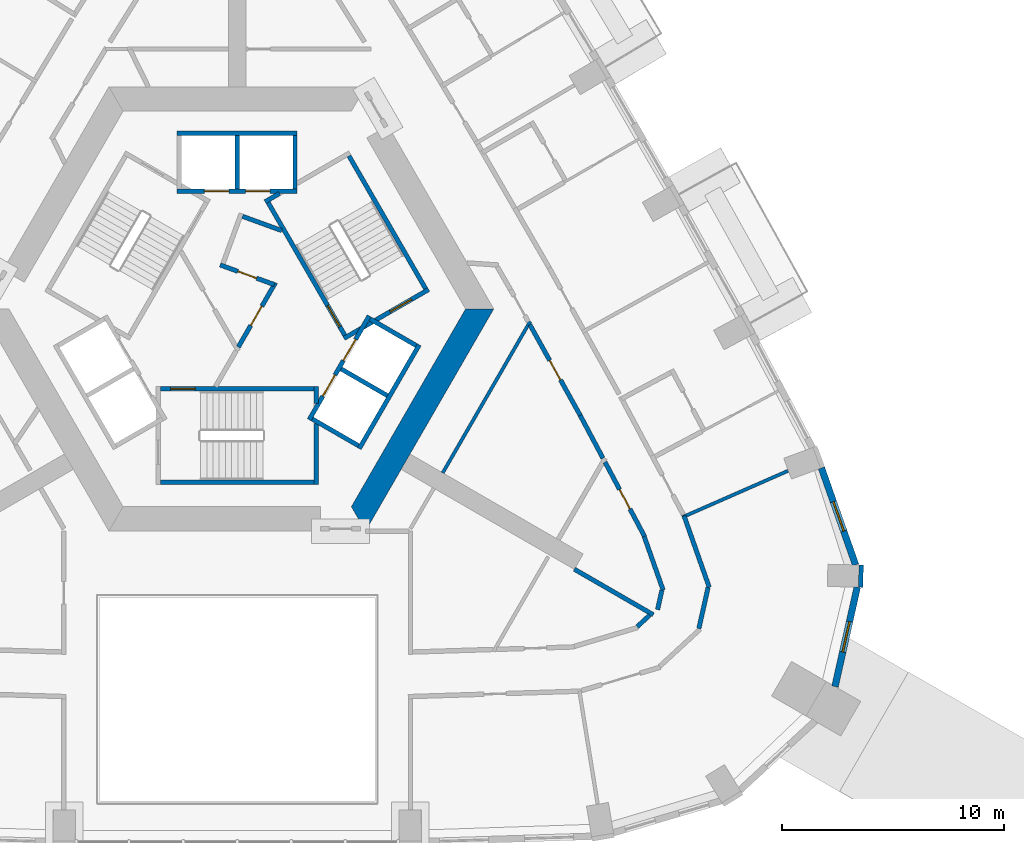
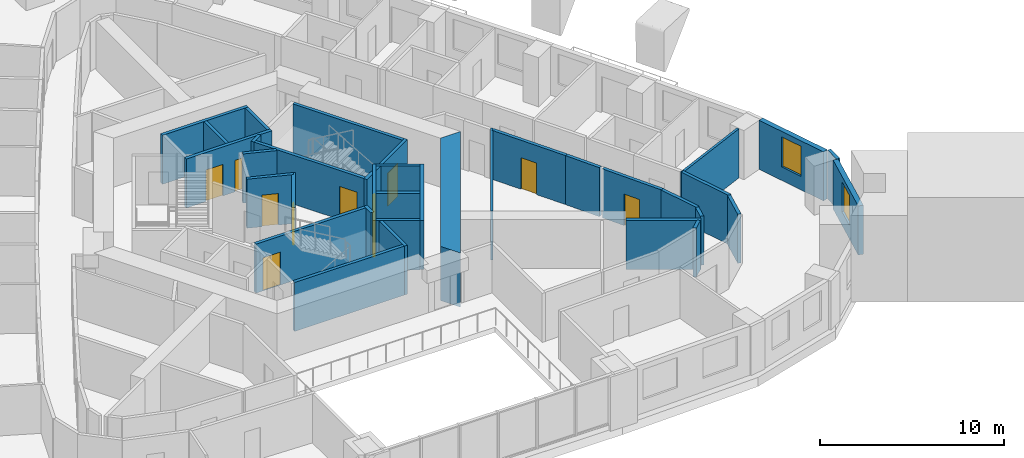
# One storey, part 6 of 12: 35 walls, 11 doors, 2 windows, 13 openings.
"""IFC4 building model written with IfcOpenShell, lengths in metres."""

from ifc_helpers import new_model, si_unit, direction, frame, frame_2d, origin, place, context, subcontext, project, spatial, polyline, rectangle, outline, extrude, material, layer, layer_set, type_object, element, fill, save


model = new_model("IFC4")

# Units and contexts
model_context = context("Model", 3, precision=1e-05, world=origin(), true_north=direction((0.0, 1.0)))
body_context = subcontext(model_context, "Body", "Model", "MODEL_VIEW")
ifc_project = project(units=[si_unit("LENGTHUNIT", "METRE"), si_unit("AREAUNIT", "SQUARE_METRE"), si_unit("VOLUMEUNIT", "CUBIC_METRE"), si_unit("PLANEANGLEUNIT", "RADIAN"), si_unit("MASSUNIT", "GRAM", prefix="KILO")], contexts=[model_context])

# Site, building, storey
site_placement = place(None, origin())
site = spatial("IfcSite", under=ifc_project, at=site_placement, CompositionType="ELEMENT")
building_placement = place(site_placement, origin())
building = spatial("IfcBuilding", under=site, at=building_placement, Name="Entoto Arch Interchange Tower", CompositionType="ELEMENT")
storey_placement = place(building_placement, frame((0.0, 0.0, 273.800048828125)))
storey = spatial("IfcBuildingStorey", under=building, at=storey_placement, Name="L63", CompositionType="ELEMENT", Elevation=273.800048828125)

# Wall
ifc_material_1 = material(Name="Concrete C40/50", Category="concrete")
ifc_layer_1 = layer(ifc_material_1, 1.10009765625)
ifc_layer_set_1 = layer_set([ifc_layer_1], Name="Concrete C40/50")
wall_type_1 = type_object("IfcWallType", Name="Core wall 1100 C40/50", PredefinedType="SHEAR", material=ifc_layer_set_1)
wall_1_placement = place(storey_placement, frame((0.0, 0.0, -0.340087890625)))
element("IfcWall", 1, at=wall_1_placement, inside=storey, type_object=wall_type_1, Name="Core wall SE L63", PredefinedType="SHEAR", context=body_context, shape_type="SweptSolid", body=[
    extrude(outline(polyline([(5.77392578125, -7.5), (11.547119140625, 2.5), (10.277099609375, 2.5), (5.137939453125, -6.39990234375), (5.77392578125, -7.5)])), origin(), (0.0, 0.0, 1.0), 3.60009765625),
])

# Wall, openings, doors
ifc_layer_2 = layer(ifc_material_1, 0.199951171875)
ifc_layer_set_2 = layer_set([ifc_layer_2], Name="Concrete C40/50")
wall_type_2 = type_object("IfcWallType", Name="LIFT SHAFT WALL 200", PredefinedType="STANDARD", material=ifc_layer_set_2)
wall_2_placement = place(storey_placement, frame((2.699951171875, 7.800048828125, 0.0), z_axis=(0.0, 0.0, 1.0), x_axis=(-1.0, 0.0, 0.0)))
wall_2 = element("IfcWall", 2, at=wall_2_placement, inside=storey, type_object=wall_type_2, Name="Shaft wall N1 front", PredefinedType="STANDARD", context=body_context, shape_type="SweptSolid", body=[
    extrude(rectangle(XDim=5.39990234375, YDim=0.199951171875, at=frame_2d((2.699951171875, 0.0))), origin(), (0.0, 0.0, 1.0), 3.260009765625),
])
opening_1_placement = place(wall_2_placement, frame((1.22509765625, 0.0, 0.0)))
opening_1 = element("IfcOpeningElement", 3, at=opening_1_placement, cuts=wall_2, Name="Opening LD-HR1-L63", PredefinedType="OPENING", context=body_context, shape_type="SweptSolid", body=[
    extrude(rectangle(XDim=1.10009765625, YDim=2.10009765625, at=frame_2d((0.550048828125, 1.050048828125))), frame((0.0, 0.10986328125, 0.0), z_axis=(0.0, -1.0, 0.0), x_axis=(1.0, 0.0, 0.0)), (0.0, 0.0, 1.0), 0.219970703125),
])
opening_2_placement = place(wall_2_placement, frame((3.074951171875, 0.0, 0.0)))
opening_2 = element("IfcOpeningElement", 4, at=opening_2_placement, cuts=wall_2, Name="Opening LD-HR2-L63", PredefinedType="OPENING", context=body_context, shape_type="SweptSolid", body=[
    extrude(rectangle(XDim=1.10009765625, YDim=2.10009765625, at=frame_2d((0.550048828125, 1.050048828125))), frame((0.0, 0.10986328125, 0.0), z_axis=(0.0, -1.0, 0.0), x_axis=(1.0, 0.0, 0.0)), (0.0, 0.0, 1.0), 0.219970703125),
])
ifc_material_2 = material(Name="Stainless steel 1.4301 panels", Category="steel")
door_type_1 = type_object("IfcDoorType", Name="LIFT LANDING DOOR LD1 1100x2100", OperationType="SLIDING_TO_LEFT", PredefinedType="DOOR", material=ifc_material_2)
door_1_placement = place(opening_1_placement, origin())
door_1 = element("IfcDoor", 5, at=door_1_placement, inside=storey, type_object=door_type_1, Name="Lift landing door HR1 L63", OperationType="SLIDING_TO_LEFT", OverallHeight=2.10009765625, OverallWidth=1.10009765625, PredefinedType="DOOR", context=body_context, shape_type="SweptSolid", body=[
    extrude(rectangle(XDim=1.10009765625, YDim=2.10009765625, at=frame_2d((0.550048828125, 1.050048828125))), frame((0.0, 0.02490234375, 0.0), z_axis=(0.0, -1.0, 0.0), x_axis=(1.0, 0.0, 0.0)), (0.0, 0.0, 1.0), 0.050048828125),
])
fill(opening_1, door_1)
door_2_placement = place(opening_2_placement, origin())
door_2 = element("IfcDoor", 6, at=door_2_placement, inside=storey, type_object=door_type_1, Name="Lift landing door HR2 L63", OperationType="SLIDING_TO_LEFT", OverallHeight=2.10009765625, OverallWidth=1.10009765625, PredefinedType="DOOR", context=body_context, shape_type="SweptSolid", body=[
    extrude(rectangle(XDim=1.10009765625, YDim=2.10009765625, at=frame_2d((0.550048828125, 1.050048828125))), frame((0.0, 0.02490234375, 0.0), z_axis=(0.0, -1.0, 0.0), x_axis=(1.0, 0.0, 0.0)), (0.0, 0.0, 1.0), 0.050048828125),
])
fill(opening_2, door_2)

# Walls
wall_3_placement = place(storey_placement, frame((2.699951171875, 10.39990234375, 0.0), z_axis=(0.0, 0.0, 1.0), x_axis=(-1.0, 0.0, 0.0)))
element("IfcWall", 7, at=wall_3_placement, inside=storey, type_object=wall_type_2, Name="Shaft wall N1 back", PredefinedType="STANDARD", context=body_context, shape_type="SweptSolid", body=[
    extrude(rectangle(XDim=5.39990234375, YDim=0.199951171875, at=frame_2d((2.699951171875, 0.0))), origin(), (0.0, 0.0, 1.0), 3.260009765625),
])
for number, where, z_axis, x_axis, name in (
    (8, (2.60009765625, 7.89990234375, 0.0), (0.0, 0.0, 1.0), (0.0, 1.0, 0.0), "Shaft wall N1 cross 1"),
    (9, (0.0, 7.89990234375, 0.0), (0.0, 0.0, 1.0), (0.0, 1.0, 0.0), "Shaft wall N1 cross 2"),
):
    element("IfcWall", number, at=place(storey_placement, frame(where, z_axis=z_axis, x_axis=x_axis)), inside=storey, type_object=wall_type_2, Name=name, PredefinedType="STANDARD", context=body_context, shape_type="SweptSolid", body=[
        extrude(rectangle(XDim=2.400146484375, YDim=0.199951171875, at=frame_2d((1.2001953125, 0.0))), origin(), (0.0, 0.0, 1.0), 3.260009765625),
    ])

# Wall, openings, doors
wall_4_placement = place(storey_placement, frame((3.239990234375, -2.488037109375, 0.0), z_axis=(0.0, 0.0, 1.0), x_axis=(0.500034260056, 0.866005622828, 0.0)))
wall_4 = element("IfcWall", 10, at=wall_4_placement, inside=storey, type_object=wall_type_2, Name="Shaft wall SE1 front", PredefinedType="STANDARD", context=body_context, shape_type="SweptSolid", body=[
    extrude(rectangle(XDim=5.3994140625, YDim=0.199951171875, at=frame_2d((2.69970703125, 0.0))), origin(), (0.0, 0.0, 1.0), 3.260009765625),
])
opening_3_placement = place(wall_4_placement, frame((3.074951171875, 0.0, 0.0)))
opening_3 = element("IfcOpeningElement", 11, at=opening_3_placement, cuts=wall_4, Name="Opening LD-HR3-L63", PredefinedType="OPENING", context=body_context, shape_type="SweptSolid", body=[
    extrude(rectangle(XDim=1.10009765625, YDim=2.10009765625, at=frame_2d((0.550048828125, 1.050048828125))), frame((0.0, 0.10986328125, 0.0), z_axis=(0.0, -1.0, 0.0), x_axis=(1.0, 0.0, 0.0)), (0.0, 0.0, 1.0), 0.219970703125),
])
opening_4_placement = place(wall_4_placement, frame((1.22509765625, 0.0, 0.0)))
opening_4 = element("IfcOpeningElement", 12, at=opening_4_placement, cuts=wall_4, Name="Opening LD-FF1-L63", PredefinedType="OPENING", context=body_context, shape_type="SweptSolid", body=[
    extrude(rectangle(XDim=1.10009765625, YDim=2.10009765625, at=frame_2d((0.550048828125, 1.050048828125))), frame((0.0, 0.10986328125, 0.0), z_axis=(0.0, -1.0, 0.0), x_axis=(1.0, 0.0, 0.0)), (0.0, 0.0, 1.0), 0.219970703125),
])
door_3_placement = place(opening_3_placement, origin())
door_3 = element("IfcDoor", 13, at=door_3_placement, inside=storey, type_object=door_type_1, Name="Lift landing door HR3 L63", OperationType="SLIDING_TO_LEFT", OverallHeight=2.10009765625, OverallWidth=1.10009765625, PredefinedType="DOOR", context=body_context, shape_type="SweptSolid", body=[
    extrude(rectangle(XDim=1.10009765625, YDim=2.10009765625, at=frame_2d((0.550048828125, 1.050048828125))), frame((0.0, 0.02490234375, 0.0), z_axis=(0.0, -1.0, 0.0), x_axis=(1.0, 0.0, 0.0)), (0.0, 0.0, 1.0), 0.050048828125),
])
fill(opening_3, door_3)
door_4_placement = place(opening_4_placement, origin())
door_4 = element("IfcDoor", 14, at=door_4_placement, inside=storey, type_object=door_type_1, Name="Lift landing door FF1 L63", OperationType="SLIDING_TO_LEFT", OverallHeight=2.10009765625, OverallWidth=1.10009765625, PredefinedType="DOOR", context=body_context, shape_type="SweptSolid", body=[
    extrude(rectangle(XDim=1.10009765625, YDim=2.10009765625, at=frame_2d((0.550048828125, 1.050048828125))), frame((0.0, 0.02490234375, 0.0), z_axis=(0.0, -1.0, 0.0), x_axis=(1.0, 0.0, 0.0)), (0.0, 0.0, 1.0), 0.050048828125),
])
fill(opening_4, door_4)

# Walls
wall_5_placement = place(storey_placement, frame((5.491943359375, -3.7880859375, 0.0), z_axis=(0.0, 0.0, 1.0), x_axis=(0.500034260056, 0.866005622828, 0.0)))
element("IfcWall", 15, at=wall_5_placement, inside=storey, type_object=wall_type_2, Name="Shaft wall SE1 back", PredefinedType="STANDARD", context=body_context, shape_type="SweptSolid", body=[
    extrude(rectangle(XDim=5.3994140625, YDim=0.199951171875, at=frame_2d((2.69970703125, 0.0))), origin(), (0.0, 0.0, 1.0), 3.260009765625),
])
wall_6_placement = place(storey_placement, frame((3.376953125, -2.451904296875, 0.0), z_axis=(0.0, 0.0, 1.0), x_axis=(0.865955154139, -0.50012165622, 0.0)))
element("IfcWall", 16, at=wall_6_placement, inside=storey, type_object=wall_type_2, Name="Shaft wall SE1 cross 1", PredefinedType="STANDARD", context=body_context, shape_type="SweptSolid", body=[
    extrude(rectangle(XDim=2.39990234375, YDim=0.199951171875, at=frame_2d((1.199951171875, 0.0))), origin(), (0.0, 0.0, 1.0), 3.260009765625),
])
for number, where, z_axis, x_axis, name in (
    (17, (4.677001953125, -0.199951171875, 0.0), (0.0, 0.0, 1.0), (0.865973769406, -0.500089422704, 0.0), "Shaft wall SE1 cross 2"),
    (18, (5.97705078125, 2.052001953125, 0.0), (0.0, 0.0, 1.0), (0.865973769406, -0.500089422704, 0.0), "Shaft wall SE1 cross 3"),
):
    element("IfcWall", number, at=place(storey_placement, frame(where, z_axis=z_axis, x_axis=x_axis)), inside=storey, type_object=wall_type_2, Name=name, PredefinedType="STANDARD", context=body_context, shape_type="SweptSolid", body=[
        extrude(rectangle(XDim=2.3994140625, YDim=0.199951171875, at=frame_2d((1.19970703125, 0.0))), origin(), (0.0, 0.0, 1.0), 3.260009765625),
    ])
ifc_material_3 = material(Name="Gypsum board partition on steel studs", Category="steel")
ifc_layer_3 = layer(ifc_material_3, 0.14990234375)
ifc_layer_set_3 = layer_set([ifc_layer_3], Name="Gypsum board partition on steel studs")
wall_type_3 = type_object("IfcWallType", Name="PARTITION 150", PredefinedType="PARTITIONING", material=ifc_layer_set_3)
wall_7_placement = place(storey_placement, frame((20.030029296875, -6.8779296875, 0.0), z_axis=(0.0, 0.0, 1.0), x_axis=(0.915616185053, 0.402053481104, 0.0)))
element("IfcWall", 19, at=wall_7_placement, inside=storey, type_object=wall_type_3, Name="wall:L63:p095", PredefinedType="PARTITIONING", context=body_context, shape_type="SweptSolid", body=[
    extrude(rectangle(XDim=5.195556640625, YDim=0.14990234375, at=frame_2d((2.59765625, 0.0))), origin(), (0.0, 0.0, 1.0), 3.260009765625),
])
wall_8_placement = place(storey_placement, frame((9.25, -4.87890625, 0.0), z_axis=(0.0, 0.0, 1.0), x_axis=(0.499999725187, 0.866025562448, 0.0)))
element("IfcWall", 20, at=wall_8_placement, inside=storey, type_object=wall_type_3, Name="wall:L63:p076", PredefinedType="PARTITIONING", context=body_context, shape_type="SweptSolid", body=[
    extrude(rectangle(XDim=7.8759765625, YDim=0.14990234375, at=frame_2d((3.93798828125, 0.0))), origin(), (0.0, 0.0, 1.0), 3.260009765625),
])
ifc_layer_4 = layer(ifc_material_3, 0.199951171875)
ifc_layer_set_4 = layer_set([ifc_layer_4], Name="Gypsum board partition on steel studs")
wall_type_4 = type_object("IfcWallType", Name="PARTITION 200", PredefinedType="PARTITIONING", material=ifc_layer_set_4)
wall_9_placement = place(storey_placement, frame((2.0048828125, 6.027099609375, 0.0), z_axis=(0.0, 0.0, 1.0), x_axis=(-0.93978203596, 0.341774377167, 0.0)))
element("IfcWall", 21, at=wall_9_placement, inside=storey, type_object=wall_type_4, Name="wall:L63:p001", PredefinedType="PARTITIONING", context=body_context, shape_type="SweptSolid", body=[
    extrude(rectangle(XDim=1.8779296875, YDim=0.199951171875, at=frame_2d((0.93896484375, 0.0))), origin(), (0.0, 0.0, 1.0), 3.260009765625),
])

# Wall, opening, door
wall_10_placement = place(storey_placement, frame((-0.76806640625, 4.48193359375, 0.0), z_axis=(0.0, 0.0, 1.0), x_axis=(0.939664280748, -0.342097996905, 0.0)))
wall_10 = element("IfcWall", 22, at=wall_10_placement, inside=storey, type_object=wall_type_4, Name="wall:L63:p003", PredefinedType="PARTITIONING", context=body_context, shape_type="SweptSolid", body=[
    extrude(rectangle(XDim=2.595458984375, YDim=0.199951171875, at=frame_2d((1.2978515625, 0.0))), origin(), (0.0, 0.0, 1.0), 3.260009765625),
])
opening_5_placement = place(wall_10_placement, frame((0.847900390625, 0.0, 0.0)))
opening_5 = element("IfcOpeningElement", 23, at=opening_5_placement, cuts=wall_10, Name="Opening L63-D35", PredefinedType="OPENING", context=body_context, shape_type="SweptSolid", body=[
    extrude(rectangle(XDim=0.89990234375, YDim=2.10009765625, at=frame_2d((0.449951171875, 1.050048828125))), frame((0.0, 0.10986328125, 0.0), z_axis=(0.0, -1.0, 0.0), x_axis=(1.0, 0.0, 0.0)), (0.0, 0.0, 1.0), 0.219970703125),
])
ifc_material_4 = material(Name="Timber door leaf in Steel S235 frame", Category="steel")
door_type_2 = type_object("IfcDoorType", Name="DOOR DS-09 900x2100", OperationType="SINGLE_SWING_LEFT", PredefinedType="DOOR", material=ifc_material_4)
door_5_placement = place(opening_5_placement, origin())
door_5 = element("IfcDoor", 24, at=door_5_placement, inside=storey, type_object=door_type_2, Name="door:L63:35", OperationType="SINGLE_SWING_LEFT", OverallHeight=2.10009765625, OverallWidth=0.89990234375, PredefinedType="DOOR", context=body_context, shape_type="SweptSolid", body=[
    extrude(rectangle(XDim=0.89990234375, YDim=2.10009765625, at=frame_2d((0.449951171875, 1.050048828125))), frame((0.0, 0.02490234375, 0.0), z_axis=(0.0, -1.0, 0.0), x_axis=(1.0, 0.0, 0.0)), (0.0, 0.0, 1.0), 0.050048828125),
])
fill(opening_5, door_5)

# Wall
wall_11_placement = place(storey_placement, frame((16.4619140625, -4.217041015625, 0.0), z_axis=(0.0, 0.0, 1.0), x_axis=(-0.469436447461, 0.882966263113, 0.0)))
element("IfcWall", 25, at=wall_11_placement, inside=storey, type_object=wall_type_4, Name="wall:L63:p020", PredefinedType="PARTITIONING", context=body_context, shape_type="SweptSolid", body=[
    extrude(rectangle(XDim=2.17919921875, YDim=0.199951171875, at=frame_2d((1.089599609375, 0.0))), origin(), (0.0, 0.0, 1.0), 3.260009765625),
])

# Wall, opening, door
wall_12_placement = place(storey_placement, frame((15.43896484375, -2.29296875, 0.0), z_axis=(0.0, 0.0, 1.0), x_axis=(-0.485079003918, 0.874470331091, 0.0)))
wall_12 = element("IfcWall", 26, at=wall_12_placement, inside=storey, type_object=wall_type_4, Name="wall:L63:p021", PredefinedType="PARTITIONING", context=body_context, shape_type="SweptSolid", body=[
    extrude(rectangle(XDim=4.669189453125, YDim=0.199951171875, at=frame_2d((2.33447265625, 0.0))), origin(), (0.0, 0.0, 1.0), 3.260009765625),
])
opening_6_placement = place(wall_12_placement, frame((1.833984375, 0.0, 0.0)))
opening_6 = element("IfcOpeningElement", 27, at=opening_6_placement, cuts=wall_12, Name="Opening L63-D22", PredefinedType="OPENING", context=body_context, shape_type="SweptSolid", body=[
    extrude(rectangle(XDim=1.0, YDim=2.10009765625, at=frame_2d((0.5, 1.050048828125))), frame((0.0, 0.10986328125, 0.0), z_axis=(0.0, -1.0, 0.0), x_axis=(1.0, 0.0, 0.0)), (0.0, 0.0, 1.0), 0.219970703125),
])
door_type_3 = type_object("IfcDoorType", Name="DOOR DS-10 1000x2100", OperationType="SINGLE_SWING_LEFT", PredefinedType="DOOR", material=ifc_material_4)
door_6_placement = place(opening_6_placement, origin())
door_6 = element("IfcDoor", 28, at=door_6_placement, inside=storey, type_object=door_type_3, Name="door:L63:22", OperationType="SINGLE_SWING_LEFT", OverallHeight=2.10009765625, OverallWidth=1.0, PredefinedType="DOOR", context=body_context, shape_type="SweptSolid", body=[
    extrude(rectangle(XDim=1.0, YDim=2.10009765625, at=frame_2d((0.5, 1.050048828125))), frame((0.0, 0.02490234375, 0.0), z_axis=(0.0, -1.0, 0.0), x_axis=(1.0, 0.0, 0.0)), (0.0, 0.0, 1.0), 0.050048828125),
])
fill(opening_6, door_6)

# Walls
wall_13_placement = place(storey_placement, frame((18.00390625, -11.801025390625, 0.0), z_axis=(0.0, 0.0, 1.0), x_axis=(0.735268601872, 0.677775835436, 0.0)))
element("IfcWall", 29, at=wall_13_placement, inside=storey, type_object=wall_type_4, Name="wall:L63:p024", PredefinedType="PARTITIONING", context=body_context, shape_type="SweptSolid", body=[
    extrude(rectangle(XDim=0.764404296875, YDim=0.199951171875, at=frame_2d((0.38232421875, 0.0))), origin(), (0.0, 0.0, 1.0), 3.260009765625),
])
wall_14_placement = place(storey_placement, frame((18.919921875, -11.033935546875, 0.0), z_axis=(0.0, 0.0, 1.0), x_axis=(0.219096654714, 0.975703159723, 0.0)))
element("IfcWall", 30, at=wall_14_placement, inside=storey, type_object=wall_type_4, Name="wall:L63:p025", PredefinedType="PARTITIONING", context=body_context, shape_type="SweptSolid", body=[
    extrude(rectangle(XDim=0.894775390625, YDim=0.199951171875, at=frame_2d((0.447265625, 0.0))), origin(), (0.0, 0.0, 1.0), 3.260009765625),
])
wall_15_placement = place(storey_placement, frame((19.1708984375, -10.157958984375, 0.0), z_axis=(0.0, 0.0, 1.0), x_axis=(-0.332486504777, 0.943108012977, 0.0)))
element("IfcWall", 31, at=wall_15_placement, inside=storey, type_object=wall_type_4, Name="wall:L63:p026", PredefinedType="PARTITIONING", context=body_context, shape_type="SweptSolid", body=[
    extrude(rectangle(XDim=2.56494140625, YDim=0.199951171875, at=frame_2d((1.282470703125, 0.0))), origin(), (0.0, 0.0, 1.0), 3.260009765625),
])

# Wall, opening, door
wall_16_placement = place(storey_placement, frame((18.33203125, -7.73291015625, 0.0), z_axis=(0.0, 0.0, 1.0), x_axis=(-0.469639737924, 0.882858152006, 0.0)))
wall_16 = element("IfcWall", 32, at=wall_16_placement, inside=storey, type_object=wall_type_4, Name="wall:L63:p027", PredefinedType="PARTITIONING", context=body_context, shape_type="SweptSolid", body=[
    extrude(rectangle(XDim=3.781982421875, YDim=0.199951171875, at=frame_2d((1.89111328125, 0.0))), origin(), (0.0, 0.0, 1.0), 3.260009765625),
])
opening_7_placement = place(wall_16_placement, frame((1.39111328125, 0.0, 0.0)))
opening_7 = element("IfcOpeningElement", 33, at=opening_7_placement, cuts=wall_16, Name="Opening L63-D24", PredefinedType="OPENING", context=body_context, shape_type="SweptSolid", body=[
    extrude(rectangle(XDim=1.0, YDim=2.10009765625, at=frame_2d((0.5, 1.050048828125))), frame((0.0, 0.10986328125, 0.0), z_axis=(0.0, -1.0, 0.0), x_axis=(1.0, 0.0, 0.0)), (0.0, 0.0, 1.0), 0.219970703125),
])
door_7_placement = place(opening_7_placement, origin())
door_7 = element("IfcDoor", 34, at=door_7_placement, inside=storey, type_object=door_type_3, Name="door:L63:24", OperationType="SINGLE_SWING_RIGHT", OverallHeight=2.10009765625, OverallWidth=1.0, PredefinedType="DOOR", context=body_context, shape_type="SweptSolid", body=[
    extrude(rectangle(XDim=1.0, YDim=2.10009765625, at=frame_2d((0.5, 1.050048828125))), frame((0.0, 0.02490234375, 0.0), z_axis=(0.0, -1.0, 0.0), x_axis=(1.0, 0.0, 0.0)), (0.0, 0.0, 1.0), 0.050048828125),
])
fill(opening_7, door_7)

# Walls
wall_17_placement = place(storey_placement, frame((20.113037109375, -6.81396484375, 0.0), z_axis=(0.0, 0.0, 1.0), x_axis=(0.332352648366, -0.943155192492, 0.0)))
element("IfcWall", 35, at=wall_17_placement, inside=storey, type_object=wall_type_4, Name="wall:L63:p038", PredefinedType="PARTITIONING", context=body_context, shape_type="SweptSolid", body=[
    extrude(rectangle(XDim=3.4150390625, YDim=0.199951171875, at=frame_2d((1.70751953125, 0.0))), origin(), (0.0, 0.0, 1.0), 3.260009765625),
])
wall_18_placement = place(storey_placement, frame((21.193115234375, -10.0380859375, 0.0), z_axis=(0.0, 0.0, 1.0), x_axis=(-0.218540107266, -0.975827967173, 0.0)))
element("IfcWall", 36, at=wall_18_placement, inside=storey, type_object=wall_type_4, Name="wall:L63:p039", PredefinedType="PARTITIONING", context=body_context, shape_type="SweptSolid", body=[
    extrude(rectangle(XDim=1.894775390625, YDim=0.199951171875, at=frame_2d((0.947265625, 0.0))), origin(), (0.0, 0.0, 1.0), 3.260009765625),
])

# Wall, opening, door
wall_19_placement = place(storey_placement, frame((0.050048828125, 0.787109375, 0.0), z_axis=(0.0, 0.0, 1.0), x_axis=(0.500036563046, 0.866004293071, 0.0)))
wall_19 = element("IfcWall", 37, at=wall_19_placement, inside=storey, type_object=wall_type_4, Name="wall:L63:p078", PredefinedType="PARTITIONING", context=body_context, shape_type="SweptSolid", body=[
    extrude(rectangle(XDim=3.341552734375, YDim=0.199951171875, at=frame_2d((1.6708984375, 0.0))), origin(), (0.0, 0.0, 1.0), 3.260009765625),
])
opening_8_placement = place(wall_19_placement, frame((1.12109375, 0.0, 0.0)))
opening_8 = element("IfcOpeningElement", 38, at=opening_8_placement, cuts=wall_19, Name="Opening L63-D33", PredefinedType="OPENING", context=body_context, shape_type="SweptSolid", body=[
    extrude(rectangle(XDim=1.0, YDim=2.10009765625, at=frame_2d((0.5, 1.050048828125))), frame((0.0, 0.10986328125, 0.0), z_axis=(0.0, -1.0, 0.0), x_axis=(1.0, 0.0, 0.0)), (0.0, 0.0, 1.0), 0.219970703125),
])
ifc_material_5 = material(Name="Fire-rated Steel S235 door and frame", Category="steel")
door_type_4 = type_object("IfcDoorType", Name="DOOR FD-10 1000x2100", OperationType="SINGLE_SWING_LEFT", PredefinedType="DOOR", material=ifc_material_5)
door_8_placement = place(opening_8_placement, origin())
door_8 = element("IfcDoor", 39, at=door_8_placement, inside=storey, type_object=door_type_4, Name="door:L63:33", OperationType="SINGLE_SWING_LEFT", OverallHeight=2.10009765625, OverallWidth=1.0, PredefinedType="DOOR", context=body_context, shape_type="SweptSolid", body=[
    extrude(rectangle(XDim=1.0, YDim=2.10009765625, at=frame_2d((0.5, 1.050048828125))), frame((0.0, 0.02490234375, 0.0), z_axis=(0.0, -1.0, 0.0), x_axis=(1.0, 0.0, 0.0)), (0.0, 0.0, 1.0), 0.050048828125),
])
fill(opening_8, door_8)

# Walls
wall_20_placement = place(storey_placement, frame((15.176025390625, -9.215087890625, 0.0), z_axis=(0.0, 0.0, 1.0), x_axis=(0.866006068523, -0.500033488159, 0.0)))
element("IfcWall", 40, at=wall_20_placement, inside=storey, type_object=wall_type_4, Name="wall:L63:p088", PredefinedType="PARTITIONING", context=body_context, shape_type="SweptSolid", body=[
    extrude(rectangle(XDim=4.099365234375, YDim=0.199951171875, at=frame_2d((2.0498046875, 0.0))), origin(), (0.0, 0.0, 1.0), 3.260009765625),
])
ifc_layer_5 = layer(ifc_material_1, 0.199951171875)
ifc_layer_set_5 = layer_set([ifc_layer_5], Name="Concrete C40/50")
wall_type_5 = type_object("IfcWallType", Name="STAIR ENCLOSURE WALL 200", PredefinedType="STANDARD", material=ifc_layer_set_5)
wall_21_placement = place(storey_placement, frame((3.550048828125, -2.6669921875, 0.0), z_axis=(0.0, 0.0, 1.0), x_axis=(0.0, -1.0, 0.0)))
element("IfcWall", 41, at=wall_21_placement, inside=storey, type_object=wall_type_5, Name="Stair wall ST-S far", PredefinedType="STANDARD", context=body_context, shape_type="SweptSolid", body=[
    extrude(rectangle(XDim=2.73291015625, YDim=0.199951171875, at=frame_2d((1.366455078125, 0.0))), origin(), (0.0, 0.0, 1.0), 3.260009765625),
])
wall_22_placement = place(storey_placement, frame((3.550048828125, -1.0, 0.0), z_axis=(0.0, 0.0, 1.0), x_axis=(0.0, -1.0, 0.0)))
element("IfcWall", 42, at=wall_22_placement, inside=storey, type_object=wall_type_5, Name="Stair wall ST-S far return", PredefinedType="STANDARD", context=body_context, shape_type="SweptSolid", body=[
    extrude(rectangle(XDim=0.7509765625, YDim=0.199951171875, at=frame_2d((0.37548828125, 0.0))), origin(), (0.0, 0.0, 1.0), 3.260009765625),
])

# Wall, opening, door
wall_23_placement = place(storey_placement, frame((-3.449951171875, -1.10009765625, 0.0), z_axis=(0.0, 0.0, 1.0), x_axis=(1.0, 0.0, 0.0)))
wall_23 = element("IfcWall", 43, at=wall_23_placement, inside=storey, type_object=wall_type_5, Name="Stair wall ST-S hall", PredefinedType="STANDARD", context=body_context, shape_type="SweptSolid", body=[
    extrude(rectangle(XDim=6.89990234375, YDim=0.199951171875, at=frame_2d((3.449951171875, 0.0))), origin(), (0.0, 0.0, 1.0), 3.260009765625),
])
opening_9_placement = place(wall_23_placement, frame((0.449951171875, 0.0, 0.0)))
opening_9 = element("IfcOpeningElement", 44, at=opening_9_placement, cuts=wall_23, Name="Opening SD-ST-S-L63", PredefinedType="OPENING", context=body_context, shape_type="SweptSolid", body=[
    extrude(rectangle(XDim=1.10009765625, YDim=2.199951171875, at=frame_2d((0.550048828125, 1.10009765625))), frame((0.0, 0.10986328125, 0.0), z_axis=(0.0, -1.0, 0.0), x_axis=(1.0, 0.0, 0.0)), (0.0, 0.0, 1.0), 0.219970703125),
])
ifc_material_6 = material(Name="Steel S235", Category="steel")
door_type_5 = type_object("IfcDoorType", Name="STAIR DOOR SD1 1100x2200", OperationType="SINGLE_SWING_LEFT", PredefinedType="DOOR", material=ifc_material_6)
door_9_placement = place(opening_9_placement, origin())
door_9 = element("IfcDoor", 45, at=door_9_placement, inside=storey, type_object=door_type_5, Name="Stair door ST-S L63", OperationType="SINGLE_SWING_LEFT", OverallHeight=2.199951171875, OverallWidth=1.10009765625, PredefinedType="DOOR", context=body_context, shape_type="SweptSolid", body=[
    extrude(rectangle(XDim=1.10009765625, YDim=2.199951171875, at=frame_2d((0.550048828125, 1.10009765625))), frame((0.0, 0.02490234375, 0.0), z_axis=(0.0, -1.0, 0.0), x_axis=(1.0, 0.0, 0.0)), (0.0, 0.0, 1.0), 0.050048828125),
])
fill(opening_9, door_9)

# Wall
wall_24_placement = place(storey_placement, frame((-3.449951171875, -5.300048828125, 0.0), z_axis=(0.0, 0.0, 1.0), x_axis=(1.0, 0.0, 0.0)))
element("IfcWall", 46, at=wall_24_placement, inside=storey, type_object=wall_type_5, Name="Stair wall ST-S back", PredefinedType="STANDARD", context=body_context, shape_type="SweptSolid", body=[
    extrude(rectangle(XDim=6.89990234375, YDim=0.199951171875, at=frame_2d((3.449951171875, 0.0))), origin(), (0.0, 0.0, 1.0), 3.260009765625),
])

# Wall, opening, door
wall_25_placement = place(storey_placement, frame((4.805908203125, 1.176025390625, 0.0), z_axis=(0.0, 0.0, 1.0), x_axis=(0.866059941101, 0.499940174841, 0.0)))
wall_25 = element("IfcWall", 47, at=wall_25_placement, inside=storey, type_object=wall_type_5, Name="Stair wall ST-NE near", PredefinedType="STANDARD", context=body_context, shape_type="SweptSolid", body=[
    extrude(rectangle(XDim=4.400390625, YDim=0.199951171875, at=frame_2d((2.2001953125, 0.0))), origin(), (0.0, 0.0, 1.0), 3.260009765625),
])
opening_10_placement = place(wall_25_placement, frame((2.39990234375, 0.0, 0.0)))
opening_10 = element("IfcOpeningElement", 48, at=opening_10_placement, cuts=wall_25, Name="Opening SD-ST-NE-L63-E", PredefinedType="OPENING", context=body_context, shape_type="SweptSolid", body=[
    extrude(rectangle(XDim=1.10009765625, YDim=2.199951171875, at=frame_2d((0.550048828125, 1.10009765625))), frame((0.0, 0.10986328125, 0.0), z_axis=(0.0, -1.0, 0.0), x_axis=(1.0, 0.0, 0.0)), (0.0, 0.0, 1.0), 0.219970703125),
])
door_10_placement = place(opening_10_placement, origin())
door_10 = element("IfcDoor", 49, at=door_10_placement, inside=storey, type_object=door_type_5, Name="Stair door ST-NE L63 end", OperationType="SINGLE_SWING_LEFT", OverallHeight=2.199951171875, OverallWidth=1.10009765625, PredefinedType="DOOR", context=body_context, shape_type="SweptSolid", body=[
    extrude(rectangle(XDim=1.10009765625, YDim=2.199951171875, at=frame_2d((0.550048828125, 1.10009765625))), frame((0.0, 0.02490234375, 0.0), z_axis=(0.0, -1.0, 0.0), x_axis=(1.0, 0.0, 0.0)), (0.0, 0.0, 1.0), 0.050048828125),
])
fill(opening_10, door_10)

# Wall
wall_26_placement = place(storey_placement, frame((1.256103515625, 7.323974609375, 0.0), z_axis=(0.0, 0.0, 1.0), x_axis=(0.865915093549, 0.500191014278, 0.0)))
element("IfcWall", 50, at=wall_26_placement, inside=storey, type_object=wall_type_5, Name="Stair wall ST-NE far return", PredefinedType="STANDARD", context=body_context, shape_type="SweptSolid", body=[
    extrude(rectangle(XDim=0.751708984375, YDim=0.199951171875, at=frame_2d((0.3759765625, 0.0))), origin(), (0.0, 0.0, 1.0), 3.260009765625),
])

# Wall, opening, door
wall_27_placement = place(storey_placement, frame((4.843017578125, 1.31201171875, 0.0), z_axis=(0.0, 0.0, 1.0), x_axis=(-0.499963383562, 0.866046543262, 0.0)))
wall_27 = element("IfcWall", 51, at=wall_27_placement, inside=storey, type_object=wall_type_5, Name="Stair wall ST-NE hall", PredefinedType="STANDARD", context=body_context, shape_type="SweptSolid", body=[
    extrude(rectangle(XDim=6.900390625, YDim=0.199951171875, at=frame_2d((3.4501953125, 0.0))), origin(), (0.0, 0.0, 1.0), 3.260009765625),
])
opening_11_placement = place(wall_27_placement, frame((0.449951171875, 0.0, 0.0)))
opening_11 = element("IfcOpeningElement", 52, at=opening_11_placement, cuts=wall_27, Name="Opening SD-ST-NE-L63", PredefinedType="OPENING", context=body_context, shape_type="SweptSolid", body=[
    extrude(rectangle(XDim=1.10009765625, YDim=2.199951171875, at=frame_2d((0.550048828125, 1.10009765625))), frame((0.0, 0.10986328125, 0.0), z_axis=(0.0, -1.0, 0.0), x_axis=(1.0, 0.0, 0.0)), (0.0, 0.0, 1.0), 0.219970703125),
])
door_11_placement = place(opening_11_placement, origin())
door_11 = element("IfcDoor", 53, at=door_11_placement, inside=storey, type_object=door_type_5, Name="Stair door ST-NE L63", OperationType="SINGLE_SWING_LEFT", OverallHeight=2.199951171875, OverallWidth=1.10009765625, PredefinedType="DOOR", context=body_context, shape_type="SweptSolid", body=[
    extrude(rectangle(XDim=1.10009765625, YDim=2.199951171875, at=frame_2d((0.550048828125, 1.10009765625))), frame((0.0, 0.02490234375, 0.0), z_axis=(0.0, -1.0, 0.0), x_axis=(1.0, 0.0, 0.0)), (0.0, 0.0, 1.0), 0.050048828125),
])
fill(opening_11, door_11)

# Wall
wall_28_placement = place(storey_placement, frame((8.47998046875, 3.412109375, 0.0), z_axis=(0.0, 0.0, 1.0), x_axis=(-0.499978703459, 0.866037698999, 0.0)))
element("IfcWall", 54, at=wall_28_placement, inside=storey, type_object=wall_type_5, Name="Stair wall ST-NE back", PredefinedType="STANDARD", context=body_context, shape_type="SweptSolid", body=[
    extrude(rectangle(XDim=6.900146484375, YDim=0.199951171875, at=frame_2d((3.4501953125, 0.0))), origin(), (0.0, 0.0, 1.0), 3.260009765625),
])

# Wall, opening, window
ifc_material_7 = material(Name="Welded tuff (ignimbrite) cladding, warm buff", Category="masonry")
ifc_layer_6 = layer(ifc_material_7, 0.300048828125)
ifc_layer_set_6 = layer_set([ifc_layer_6], Name="Welded tuff (ignimbrite) cladding, warm buff")
wall_type_6 = type_object("IfcWallType", Name="STONE INFILL WALL 300", PredefinedType="STANDARD", material=ifc_layer_set_6)
wall_29_placement = place(storey_placement, frame((26.906005859375, -14.49609375, 0.0), z_axis=(0.0, 0.0, 1.0), x_axis=(0.218936963279, 0.975739005119, 0.0)))
wall_29 = element("IfcWall", 55, at=wall_29_placement, inside=storey, type_object=wall_type_6, Name="Facade wall SE-03 L63", PredefinedType="STANDARD", context=body_context, shape_type="SweptSolid", body=[
    extrude(rectangle(XDim=4.58544921875, YDim=0.300048828125, at=frame_2d((2.292724609375, 0.0))), origin(), (0.0, 0.0, 1.0), 3.260009765625),
])
opening_12_placement = place(wall_29_placement, frame((1.593017578125, 0.0, 0.89990234375)))
opening_12 = element("IfcOpeningElement", 56, at=opening_12_placement, cuts=wall_29, Name="Opening WH-B", PredefinedType="OPENING", context=body_context, shape_type="SweptSolid", body=[
    extrude(rectangle(XDim=1.39990234375, YDim=2.0, at=frame_2d((0.699951171875, 1.0))), frame((0.0, 0.16015625, 0.0), z_axis=(0.0, -1.0, 0.0), x_axis=(1.0, 0.0, 0.0)), (0.0, 0.0, 1.0), 0.320068359375),
])
ifc_material_8 = material(Name="Clear glass, low-e double glazed", Category="glass")
window_type = type_object("IfcWindowType", Name="WINDOW WH-B 1400x2000", PartitioningType="DOUBLE_PANEL_VERTICAL", PredefinedType="WINDOW", material=ifc_material_8)
window_1_placement = place(opening_12_placement, origin())
window_1 = element("IfcWindow", 57, at=window_1_placement, inside=storey, type_object=window_type, Name="Window WH-B SE-03 L63", OverallHeight=2.0, OverallWidth=1.39990234375, PartitioningType="SINGLE_PANEL", PredefinedType="WINDOW", context=body_context, shape_type="SweptSolid", body=[
    extrude(rectangle(XDim=1.39990234375, YDim=2.0, at=frame_2d((0.699951171875, 1.0))), frame((0.0, 0.030029296875, 0.0), z_axis=(0.0, -1.0, 0.0), x_axis=(1.0, 0.0, 0.0)), (0.0, 0.0, 1.0), 0.06005859375),
])
fill(opening_12, window_1)

wall_30_placement = place(storey_placement, frame((27.8359375, -9.02099609375, 0.0), z_axis=(0.0, 0.0, 1.0), x_axis=(-0.332491532378, 0.943106240514, 0.0)))
wall_30 = element("IfcWall", 58, at=wall_30_placement, inside=storey, type_object=wall_type_6, Name="Facade wall SE-04 L63", PredefinedType="STANDARD", context=body_context, shape_type="SweptSolid", body=[
    extrude(rectangle(XDim=4.625244140625, YDim=0.300048828125, at=frame_2d((2.3125, 0.0))), origin(), (0.0, 0.0, 1.0), 3.260009765625),
])
opening_13_placement = place(wall_30_placement, frame((1.613037109375, 0.0, 0.89990234375)))
opening_13 = element("IfcOpeningElement", 59, at=opening_13_placement, cuts=wall_30, Name="Opening WH-B", PredefinedType="OPENING", context=body_context, shape_type="SweptSolid", body=[
    extrude(rectangle(XDim=1.39990234375, YDim=2.0, at=frame_2d((0.699951171875, 1.0))), frame((0.0, 0.16015625, 0.0), z_axis=(0.0, -1.0, 0.0), x_axis=(1.0, 0.0, 0.0)), (0.0, 0.0, 1.0), 0.320068359375),
])
window_2_placement = place(opening_13_placement, origin())
window_2 = element("IfcWindow", 60, at=window_2_placement, inside=storey, type_object=window_type, Name="Window WH-B SE-04 L63", OverallHeight=2.0, OverallWidth=1.39990234375, PartitioningType="SINGLE_PANEL", PredefinedType="WINDOW", context=body_context, shape_type="SweptSolid", body=[
    extrude(rectangle(XDim=1.39990234375, YDim=2.0, at=frame_2d((0.699951171875, 1.0))), frame((0.0, 0.030029296875, 0.0), z_axis=(0.0, -1.0, 0.0), x_axis=(1.0, 0.0, 0.0)), (0.0, 0.0, 1.0), 0.06005859375),
])
fill(opening_13, window_2)

# Wall
ifc_layer_7 = layer(ifc_material_7, 0.199951171875)
ifc_layer_set_7 = layer_set([ifc_layer_7], Name="Welded tuff (ignimbrite) cladding, warm buff")
wall_type_7 = type_object("IfcWallType", Name="STONE PIER CLADDING 200", PredefinedType="STANDARD", material=ifc_layer_set_7)
wall_31_placement = place(storey_placement, frame((28.06201171875, -10.02587890625, 0.0), z_axis=(0.0, 0.0, 1.0), x_axis=(0.023948152966, 0.999713201858, 0.0)))
element("IfcWall", 61, at=wall_31_placement, inside=storey, type_object=wall_type_7, Name="Stone pier SE3 L63", PredefinedType="STANDARD", context=body_context, shape_type="SweptSolid", body=[
    extrude(rectangle(XDim=0.9990234375, YDim=0.199951171875, at=frame_2d((0.49951171875, 0.0))), origin(), (0.0, 0.0, 1.0), 3.260009765625),
])

save(model, "model.ifc")
